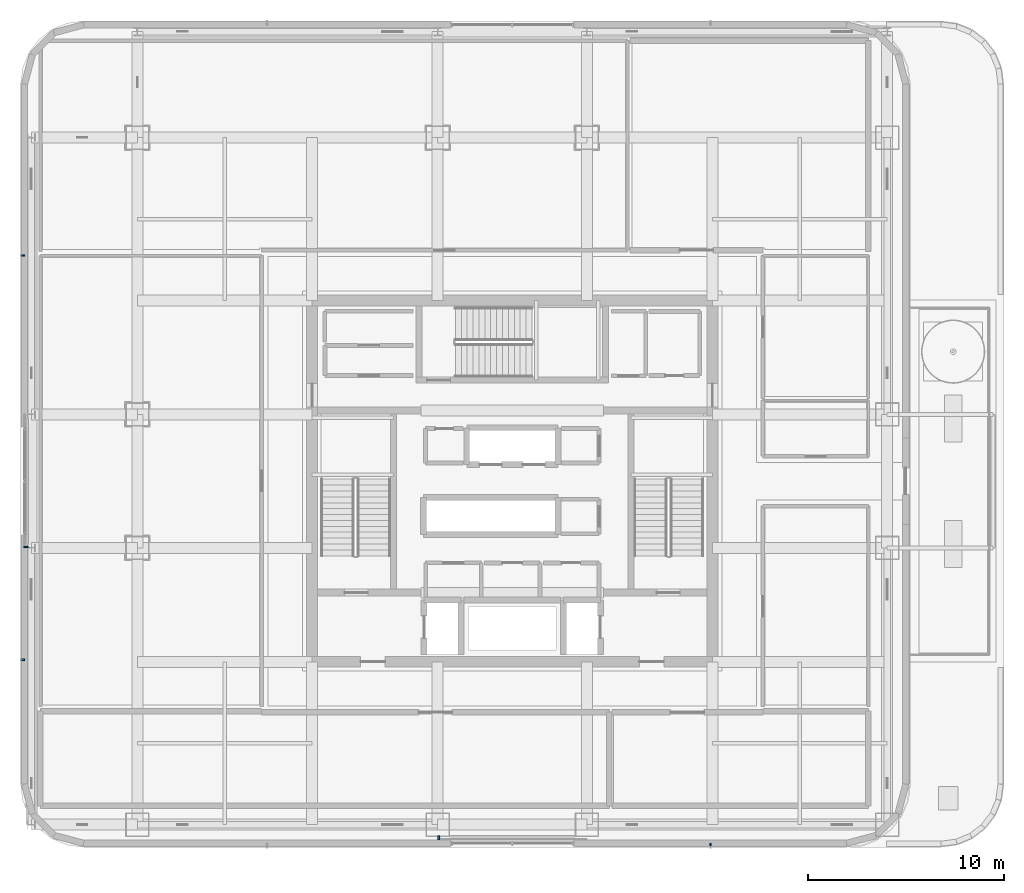
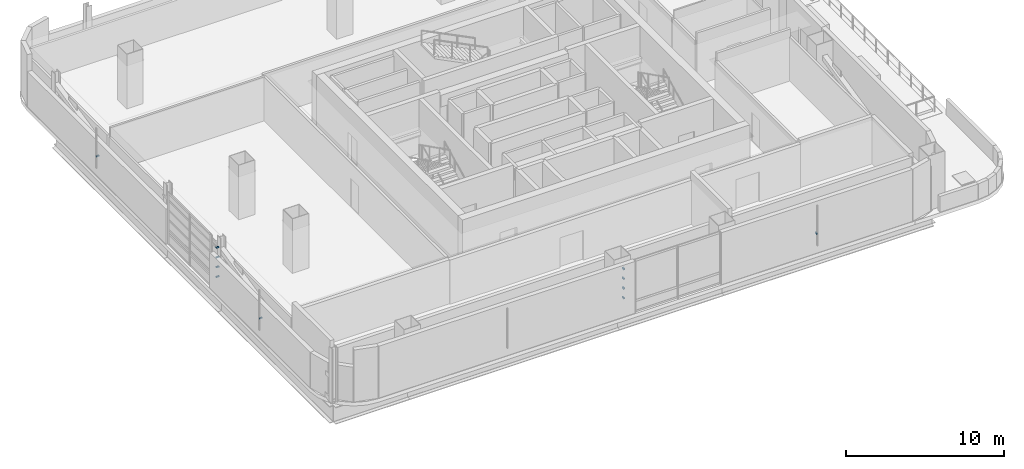
# One storey, part 16 of 31: 11 discrete accessories.
"""IFC4 building model written with IfcOpenShell, lengths in metres."""

from ifc_helpers import new_model, si_unit, direction, frame, origin, origin_2d, place, context, subcontext, project, spatial, rectangle, extrude, material, type_object, element, save


model = new_model("IFC4")

# Units and contexts
model_context = context("Model", 3, precision=1e-05, world=origin(), true_north=direction((0.0, 1.0)))
body_context = subcontext(model_context, "Body", "Model", "MODEL_VIEW")
ifc_project = project(units=[si_unit("LENGTHUNIT", "METRE"), si_unit("AREAUNIT", "SQUARE_METRE"), si_unit("VOLUMEUNIT", "CUBIC_METRE"), si_unit("PLANEANGLEUNIT", "RADIAN"), si_unit("MASSUNIT", "GRAM", prefix="KILO")], contexts=[model_context])

# Site, building, storey
site_placement = place(None, origin())
site = spatial("IfcSite", under=ifc_project, at=site_placement, CompositionType="ELEMENT")
building_placement = place(site_placement, origin())
building = spatial("IfcBuilding", under=site, at=building_placement, Name="Punatoya Terracotta Tower", CompositionType="ELEMENT")
storey_placement = place(building_placement, frame((0.0, 0.0, 283.800048828125)))
storey = spatial("IfcBuildingStorey", under=building, at=storey_placement, Name="L67", CompositionType="ELEMENT", Elevation=283.800048828125)

# Discrete accessories
ifc_material = material(Name="Steel S355", Category="steel")
discrete_accessory_type = type_object("IfcDiscreteAccessoryType", Name="ACC-BRK-220", PredefinedType="BRACKET", material=ifc_material)
for number, where, z_axis, x_axis, name in (
    (1, (10.093505859375, -18.550048828125, 1.449951171875), (0.0, 0.0, 1.0), (1.0, 0.0, 0.0), "L67 Jali Fin Support Bracket S2"),
    (2, (-24.949951171875, 11.493408203125, 1.449951171875), (0.0, 0.0, 1.0), (0.0, -1.0, 0.0), "L67 Jali Fin Support Bracket W1"),
    (3, (-24.949951171875, -9.093505859375, 1.449951171875), (0.0, 0.0, 1.0), (0.0, -1.0, 0.0), "L67 Jali Fin Support Bracket W2"),
    (4, (-3.75, -18.169921875, 1.099853515625), (0.0, 0.0, 1.0), (1.0, 0.0, 0.0), "L67 Baguette Louvre Column Bracket BAG-L67-S-01"),
    (5, (-3.75, -18.169921875, 1.849853515625), (0.0, 0.0, 1.0), (1.0, 0.0, 0.0), "L67 Baguette Louvre Column Bracket BAG-L67-S-02"),
    (6, (-3.75, -18.169921875, 2.599853515625), (0.0, 0.0, 1.0), (1.0, 0.0, 0.0), "L67 Baguette Louvre Column Bracket BAG-L67-S-03"),
    (7, (-3.75, -18.169921875, 3.349853515625), (0.0, 0.0, 1.0), (1.0, 0.0, 0.0), "L67 Baguette Louvre Column Bracket BAG-L67-S-04"),
    (8, (-24.778076171875, -3.35009765625, 1.099853515625), (0.0, 0.0, 1.0), (0.0, 1.0, 0.0), "L67 Baguette Louvre Column Bracket BAG-L67-W-01"),
    (9, (-24.778076171875, -3.35009765625, 1.849853515625), (0.0, 0.0, 1.0), (0.0, 1.0, 0.0), "L67 Baguette Louvre Column Bracket BAG-L67-W-02"),
    (10, (-24.778076171875, -3.35009765625, 2.599853515625), (0.0, 0.0, 1.0), (0.0, 1.0, 0.0), "L67 Baguette Louvre Column Bracket BAG-L67-W-03"),
    (11, (-24.778076171875, -3.35009765625, 3.349853515625), (0.0, 0.0, 1.0), (0.0, 1.0, 0.0), "L67 Baguette Louvre Column Bracket BAG-L67-W-04"),
):
    element("IfcDiscreteAccessory", number, at=place(storey_placement, frame(where, z_axis=z_axis, x_axis=x_axis)), inside=storey, type_object=discrete_accessory_type, Name=name, PredefinedType="BRACKET", context=body_context, shape_type="SweptSolid", body=[
        extrude(rectangle(XDim=0.090087890625, YDim=0.219970703125, at=origin_2d()), origin(), (0.0, 0.0, 1.0), 0.10009765625),
    ])

save(model, "model.ifc")
